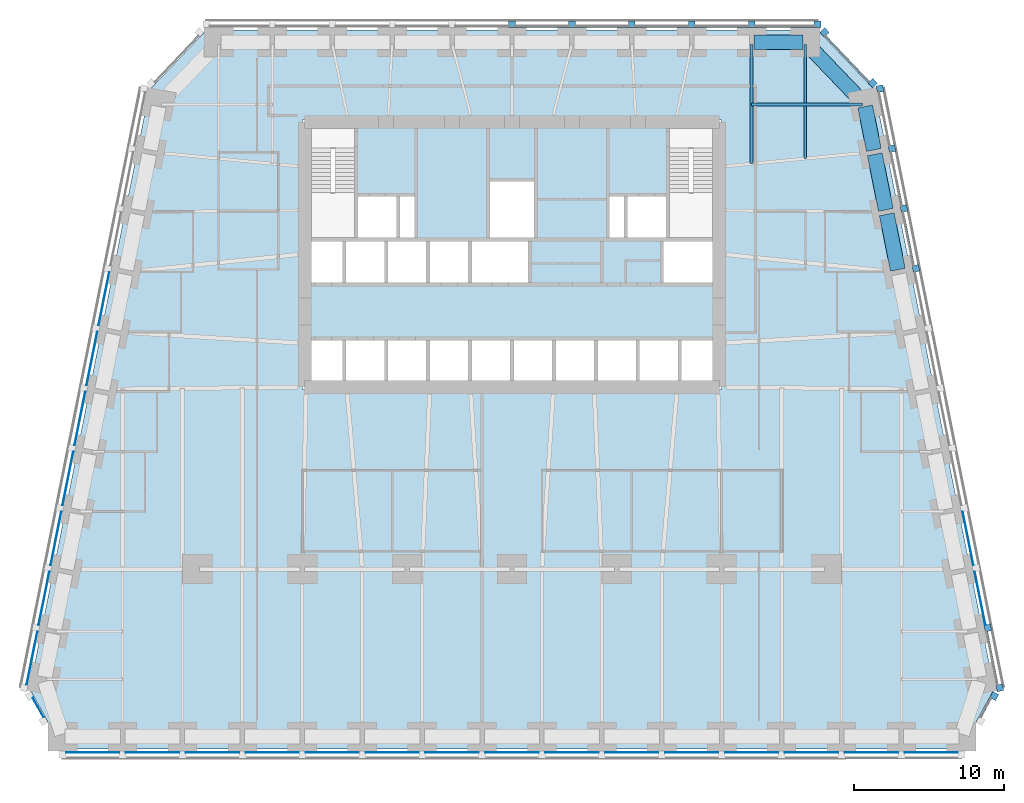
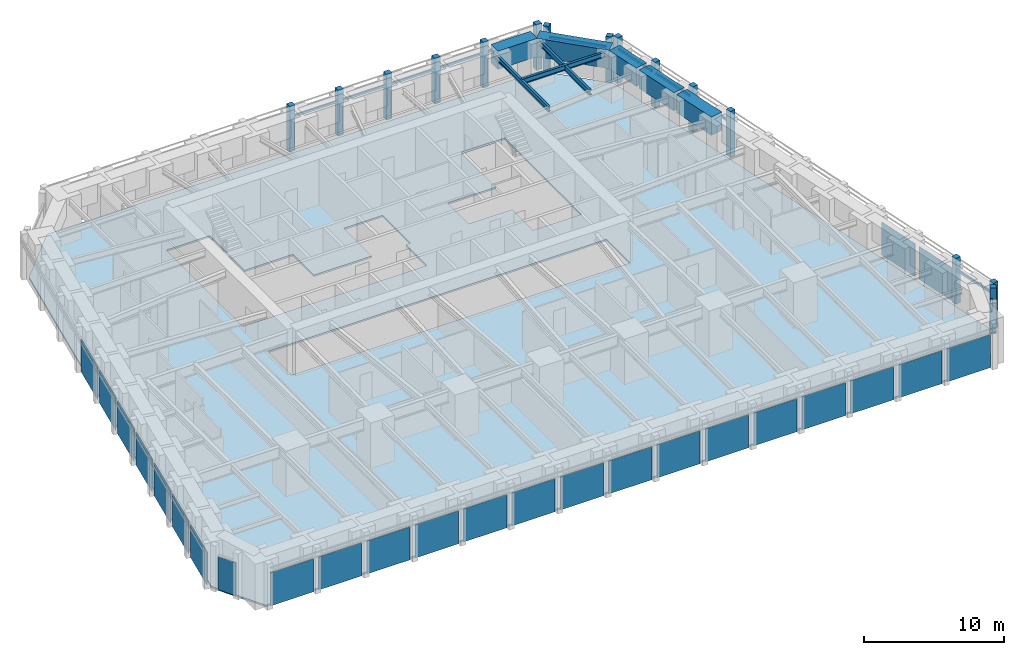
# One storey, part 4 of 10: 26 members, 25 plates, 8 beams, 1 slab, 7 elements without a shape of their own.
"""IFC4 building model written with IfcOpenShell, lengths in metres."""

from ifc_helpers import new_model, si_unit, direction, frame, origin, origin_2d, place, context, subcontext, project, spatial, polyline, rectangle, i_section, outline, extrude, material, layer, layer_set, material_profile, profile_set, type_object, element, aggregate, save


model = new_model("IFC4")

# Units and contexts
model_context = context("Model", 3, precision=1e-05, world=origin(), true_north=direction((0.0, 1.0)))
body_context = subcontext(model_context, "Body", "Model", "MODEL_VIEW")
ifc_project = project(units=[si_unit("LENGTHUNIT", "METRE"), si_unit("AREAUNIT", "SQUARE_METRE"), si_unit("VOLUMEUNIT", "CUBIC_METRE"), si_unit("PLANEANGLEUNIT", "RADIAN"), si_unit("MASSUNIT", "GRAM", prefix="KILO")], contexts=[model_context])

# Site, building, storey
site_placement = place(None, origin())
site = spatial("IfcSite", under=ifc_project, at=site_placement, CompositionType="ELEMENT")
building_placement = place(site_placement, origin())
building = spatial("IfcBuilding", under=site, at=building_placement, Name="Isbrekke Arena Tower", CompositionType="ELEMENT")
storey_placement = place(building_placement, frame((0.0, 0.0, 64.0)))
storey = spatial("IfcBuildingStorey", under=building, at=storey_placement, Name="L13", CompositionType="ELEMENT", Elevation=64.0)

# Beams
ifc_material_1 = material(Name="Steel S355", Category="steel")
ifc_material_profile_1 = material_profile(ifc_material_1, i_section(OverallWidth=0.18994140625, OverallDepth=0.449951171875, WebThickness=0.009521484375, FlangeThickness=0.0146484375, FilletRadius=0.02099609375, at=origin_2d()), Name="IPE 450")
ifc_profile_set_1 = profile_set([ifc_material_profile_1], Name="Steel S355")
beam_type_1 = type_object("IfcBeamType", Name="B2 IPE 450", PredefinedType="BEAM", material=ifc_profile_set_1)
beam_1_placement = place(storey_placement, frame((23.40283203125, 25.029296875, 3.625), z_axis=(-1.0, 0.0, 0.0), x_axis=(0.0, -1.0, 0.0)))
element("IfcBeam", 1, at=beam_1_placement, inside=storey, type_object=beam_type_1, Name="B2 beam E-E11 L13", PredefinedType="BEAM", context=body_context, shape_type="SweptSolid", body=[
    extrude(i_section(OverallWidth=0.18994140625, OverallDepth=0.449951171875, WebThickness=0.009521484375, FlangeThickness=0.0146484375, FilletRadius=0.02099609375, at=origin_2d()), origin(), (0.0, 0.0, 1.0), 7.40283203125),
])
ifc_material_2 = material(Name="Steel S355", Category="steel")
ifc_material_profile_2 = material_profile(ifc_material_2, i_section(OverallWidth=0.18994140625, OverallDepth=0.449951171875, WebThickness=0.009521484375, FlangeThickness=0.0146484375, FilletRadius=0.02099609375, at=origin_2d()), Name="IPE 450")
ifc_profile_set_2 = profile_set([ifc_material_profile_2], Name="Steel S355")
beam_type_2 = type_object("IfcBeamType", Name="B3 IPE 450", PredefinedType="BEAM", material=ifc_profile_set_2)
beam_2_placement = place(storey_placement, frame((19.574951171875, 29.02490234375, 3.625), z_axis=(0.0, -1.0, 0.0), x_axis=(1.0, 0.0, 0.0)))
element("IfcBeam", 2, at=beam_2_placement, inside=storey, type_object=beam_type_2, Name="B3 beam N-N01 L13", PredefinedType="BEAM", context=body_context, shape_type="SweptSolid", body=[
    extrude(i_section(OverallWidth=0.18994140625, OverallDepth=0.449951171875, WebThickness=0.009521484375, FlangeThickness=0.0146484375, FilletRadius=0.02099609375, at=origin_2d()), origin(), (0.0, 0.0, 1.0), 7.616943359375),
])
beam_3_placement = place(storey_placement, frame((16.0, 29.02490234375, 3.625), z_axis=(0.0, -1.0, 0.0), x_axis=(1.0, 0.0, 0.0)))
element("IfcBeam", 3, at=beam_3_placement, inside=storey, type_object=beam_type_2, Name="B3 beam N-N02 L13", PredefinedType="BEAM", context=body_context, shape_type="SweptSolid", body=[
    extrude(i_section(OverallWidth=0.18994140625, OverallDepth=0.449951171875, WebThickness=0.009521484375, FlangeThickness=0.0146484375, FilletRadius=0.02099609375, at=origin_2d()), origin(), (0.0, 0.0, 1.0), 7.961181640625),
])

# Curtain wall, member
ifc_material_3 = material(Name="Glazed aluminium curtain wall", Category="aluminium")
curtain_wall_type = type_object("IfcCurtainWallType", Name="CWL TOWER CURTAIN WALL LOW ZONE", PredefinedType="USERDEFINED", material=ifc_material_3)
curtain_wall_1_placement = place(storey_placement, origin())
curtain_wall_1 = element("IfcCurtainWall", 4, at=curtain_wall_1_placement, inside=storey, type_object=curtain_wall_type, Name="CWL curtain wall L13-SE", ObjectType="TOWER CURTAIN WALL LOW ZONE", PredefinedType="USERDEFINED")
ifc_material_4 = material(Name="Aluminium mullion, pale brick slip cladding", Category="masonry")
ifc_material_profile_3 = material_profile(ifc_material_4, rectangle(XDim=0.449951171875, YDim=0.449951171875, at=origin_2d()), Name="PIER 450X450")
ifc_profile_set_3 = profile_set([ifc_material_profile_3], Name="Aluminium mullion, pale brick slip cladding")
member_type_1 = type_object("IfcMemberType", Name="CWL-M PIER MULLION 450 x 450", PredefinedType="MULLION", material=ifc_profile_set_3)
member_1_placement = place(storey_placement, frame((32.195556640625, -14.47509765625, 0.0), z_axis=(0.0, 0.0, 1.0), x_axis=(0.481918749773, 0.876215908676, 0.0)))
member_1 = element("IfcMember", 5, at=member_1_placement, type_object=member_type_1, Name="CWL-M mullion 2", PredefinedType="MULLION", context=body_context, shape_type="SweptSolid", body=[
    extrude(rectangle(XDim=0.449951171875, YDim=0.449951171875, at=origin_2d()), origin(), (0.0, 0.0, 1.0), 4.0),
])

# Curtain wall, members
curtain_wall_2_placement = place(storey_placement, origin())
curtain_wall_2 = element("IfcCurtainWall", 6, at=curtain_wall_2_placement, inside=storey, type_object=curtain_wall_type, Name="CWL curtain wall L13-E", ObjectType="TOWER CURTAIN WALL LOW ZONE", PredefinedType="USERDEFINED")
member_2_placement = place(storey_placement, frame((32.567626953125, -13.926513671875, 0.0), z_axis=(0.0, 0.0, 1.0), x_axis=(-0.196116135138, 0.980580675691, 0.0)))
member_2 = element("IfcMember", 7, at=member_2_placement, type_object=member_type_1, Name="CWL-M mullion 1", PredefinedType="MULLION", context=body_context, shape_type="SweptSolid", body=[
    extrude(rectangle(XDim=0.449951171875, YDim=0.449951171875, at=origin_2d()), origin(), (0.0, 0.0, 1.0), 4.0),
])
member_3_placement = place(storey_placement, frame((31.767822265625, -9.926513671875, 0.0), z_axis=(0.0, 0.0, 1.0), x_axis=(-0.196116135138, 0.980580675691, 0.0)))
member_3 = element("IfcMember", 8, at=member_3_placement, type_object=member_type_1, Name="CWL-M mullion 2", PredefinedType="MULLION", context=body_context, shape_type="SweptSolid", body=[
    extrude(rectangle(XDim=0.449951171875, YDim=0.449951171875, at=origin_2d()), origin(), (0.0, 0.0, 1.0), 4.0),
])
member_4_placement = place(storey_placement, frame((26.9677734375, 14.073486328125, 0.0), z_axis=(0.0, 0.0, 1.0), x_axis=(-0.196116135138, 0.980580675691, 0.0)))
member_4 = element("IfcMember", 9, at=member_4_placement, type_object=member_type_1, Name="CWL-M mullion 8", PredefinedType="MULLION", context=body_context, shape_type="SweptSolid", body=[
    extrude(rectangle(XDim=0.449951171875, YDim=0.449951171875, at=origin_2d()), origin(), (0.0, 0.0, 1.0), 4.0),
])
member_5_placement = place(storey_placement, frame((26.167724609375, 18.073486328125, 0.0), z_axis=(0.0, 0.0, 1.0), x_axis=(-0.196116135138, 0.980580675691, 0.0)))
member_5 = element("IfcMember", 10, at=member_5_placement, type_object=member_type_1, Name="CWL-M mullion 9", PredefinedType="MULLION", context=body_context, shape_type="SweptSolid", body=[
    extrude(rectangle(XDim=0.449951171875, YDim=0.449951171875, at=origin_2d()), origin(), (0.0, 0.0, 1.0), 4.0),
])
member_6_placement = place(storey_placement, frame((25.36767578125, 22.073486328125, 0.0), z_axis=(0.0, 0.0, 1.0), x_axis=(-0.196116135138, 0.980580675691, 0.0)))
member_6 = element("IfcMember", 11, at=member_6_placement, type_object=member_type_1, Name="CWL-M mullion 10", PredefinedType="MULLION", context=body_context, shape_type="SweptSolid", body=[
    extrude(rectangle(XDim=0.449951171875, YDim=0.449951171875, at=origin_2d()), origin(), (0.0, 0.0, 1.0), 4.0),
])
member_7_placement = place(storey_placement, frame((24.567626953125, 26.073486328125, 0.0), z_axis=(0.0, 0.0, 1.0), x_axis=(-0.196116135138, 0.980580675691, 0.0)))
member_7 = element("IfcMember", 12, at=member_7_placement, type_object=member_type_1, Name="CWL-M mullion 11", PredefinedType="MULLION", context=body_context, shape_type="SweptSolid", body=[
    extrude(rectangle(XDim=0.449951171875, YDim=0.449951171875, at=origin_2d()), origin(), (0.0, 0.0, 1.0), 4.0),
])

curtain_wall_3_placement = place(storey_placement, origin())
curtain_wall_3 = element("IfcCurtainWall", 13, at=curtain_wall_3_placement, inside=storey, type_object=curtain_wall_type, Name="CWL curtain wall L13-EN", ObjectType="TOWER CURTAIN WALL LOW ZONE", PredefinedType="USERDEFINED")
member_8_placement = place(storey_placement, frame((24.08837890625, 26.444091796875, 0.0), z_axis=(0.0, 0.0, 1.0), x_axis=(-0.68874946192, 0.72499943359, 0.0)))
member_8 = element("IfcMember", 14, at=member_8_placement, type_object=member_type_1, Name="CWL-M mullion 1", PredefinedType="MULLION", context=body_context, shape_type="SweptSolid", body=[
    extrude(rectangle(XDim=0.449951171875, YDim=0.449951171875, at=origin_2d()), origin(), (0.0, 0.0, 1.0), 4.0),
])
member_9_placement = place(storey_placement, frame((20.86572265625, 29.83642578125, 0.0), z_axis=(0.0, 0.0, 1.0), x_axis=(-0.68874946192, 0.72499943359, 0.0)))
member_9 = element("IfcMember", 15, at=member_9_placement, type_object=member_type_1, Name="CWL-M mullion 2", PredefinedType="MULLION", context=body_context, shape_type="SweptSolid", body=[
    extrude(rectangle(XDim=0.449951171875, YDim=0.449951171875, at=origin_2d()), origin(), (0.0, 0.0, 1.0), 4.0),
])

curtain_wall_4_placement = place(storey_placement, origin())
curtain_wall_4 = element("IfcCurtainWall", 16, at=curtain_wall_4_placement, inside=storey, type_object=curtain_wall_type, Name="CWL curtain wall L13-N", ObjectType="TOWER CURTAIN WALL LOW ZONE", PredefinedType="USERDEFINED")
member_10_placement = place(storey_placement, frame((20.39990234375, 30.375, 0.0), z_axis=(0.0, 0.0, 1.0), x_axis=(-1.0, 0.0, 0.0)))
member_10 = element("IfcMember", 17, at=member_10_placement, type_object=member_type_1, Name="CWL-M mullion 1", PredefinedType="MULLION", context=body_context, shape_type="SweptSolid", body=[
    extrude(rectangle(XDim=0.449951171875, YDim=0.449951171875, at=origin_2d()), origin(), (0.0, 0.0, 1.0), 4.0),
])
member_11_placement = place(storey_placement, frame((16.0, 30.375, 0.0), z_axis=(0.0, 0.0, 1.0), x_axis=(-1.0, 0.0, 0.0)))
member_11 = element("IfcMember", 18, at=member_11_placement, type_object=member_type_1, Name="CWL-M mullion 2", PredefinedType="MULLION", context=body_context, shape_type="SweptSolid", body=[
    extrude(rectangle(XDim=0.449951171875, YDim=0.449951171875, at=origin_2d()), origin(), (0.0, 0.0, 1.0), 4.0),
])
member_12_placement = place(storey_placement, frame((12.0, 30.375, 0.0), z_axis=(0.0, 0.0, 1.0), x_axis=(-1.0, 0.0, 0.0)))
member_12 = element("IfcMember", 19, at=member_12_placement, type_object=member_type_1, Name="CWL-M mullion 3", PredefinedType="MULLION", context=body_context, shape_type="SweptSolid", body=[
    extrude(rectangle(XDim=0.449951171875, YDim=0.449951171875, at=origin_2d()), origin(), (0.0, 0.0, 1.0), 4.0),
])
member_13_placement = place(storey_placement, frame((8.0, 30.375, 0.0), z_axis=(0.0, 0.0, 1.0), x_axis=(-1.0, 0.0, 0.0)))
member_13 = element("IfcMember", 20, at=member_13_placement, type_object=member_type_1, Name="CWL-M mullion 4", PredefinedType="MULLION", context=body_context, shape_type="SweptSolid", body=[
    extrude(rectangle(XDim=0.449951171875, YDim=0.449951171875, at=origin_2d()), origin(), (0.0, 0.0, 1.0), 4.0),
])
member_14_placement = place(storey_placement, frame((4.0, 30.375, 0.0), z_axis=(0.0, 0.0, 1.0), x_axis=(-1.0, 0.0, 0.0)))
member_14 = element("IfcMember", 21, at=member_14_placement, type_object=member_type_1, Name="CWL-M mullion 5", PredefinedType="MULLION", context=body_context, shape_type="SweptSolid", body=[
    extrude(rectangle(XDim=0.449951171875, YDim=0.449951171875, at=origin_2d()), origin(), (0.0, 0.0, 1.0), 4.0),
])
member_15_placement = place(storey_placement, frame((0.0, 30.375, 0.0), z_axis=(0.0, 0.0, 1.0), x_axis=(-1.0, 0.0, 0.0)))
member_15 = element("IfcMember", 22, at=member_15_placement, type_object=member_type_1, Name="CWL-M mullion 6", PredefinedType="MULLION", context=body_context, shape_type="SweptSolid", body=[
    extrude(rectangle(XDim=0.449951171875, YDim=0.449951171875, at=origin_2d()), origin(), (0.0, 0.0, 1.0), 4.0),
])

# Member
ifc_material_5 = material(Name="Aluminium transom", Category="aluminium")
ifc_material_profile_4 = material_profile(ifc_material_5, rectangle(XDim=0.1201171875, YDim=0.199951171875, at=origin_2d()), Name="TRANSOM 120X200")
ifc_profile_set_4 = profile_set([ifc_material_profile_4], Name="Aluminium transom")
member_type_2 = type_object("IfcMemberType", Name="CWL-T TRANSOM 120 x 200", PredefinedType="USERDEFINED", material=ifc_profile_set_4)
member_16_placement = place(storey_placement, frame((31.277099609375, -15.88525390625, 3.0), z_axis=(0.481944543569, 0.876201721594, 0.0), x_axis=(-0.876201721594, 0.481944543569, 0.0)))
member_16 = element("IfcMember", 23, at=member_16_placement, type_object=member_type_2, Name="CWL-T transom 1", ObjectType="TRANSOM", PredefinedType="USERDEFINED", context=body_context, shape_type="SweptSolid", body=[
    extrude(rectangle(XDim=0.1201171875, YDim=0.199951171875, at=origin_2d()), origin(), (0.0, 0.0, 1.0), 1.453369140625),
])

aggregate(curtain_wall_1, [member_1, member_16])

member_17_placement = place(storey_placement, frame((32.401123046875, -13.730224609375, 3.0), z_axis=(-0.196167883278, 0.980570324643, 0.0), x_axis=(-0.980570324643, -0.196167883278, 0.0)))
member_17 = element("IfcMember", 24, at=member_17_placement, type_object=member_type_2, Name="CWL-T transom 1", ObjectType="TRANSOM", PredefinedType="USERDEFINED", context=body_context, shape_type="SweptSolid", body=[
    extrude(rectangle(XDim=0.1201171875, YDim=0.199951171875, at=origin_2d()), origin(), (0.0, 0.0, 1.0), 3.629150390625),
])

member_18_placement = place(storey_placement, frame((26.801025390625, 14.269775390625, 3.0), z_axis=(-0.196103197847, 0.98058326306, 0.0), x_axis=(-0.98058326306, -0.196103197847, 0.0)))
member_18 = element("IfcMember", 25, at=member_18_placement, type_object=member_type_2, Name="CWL-T transom 8", ObjectType="TRANSOM", PredefinedType="USERDEFINED", context=body_context, shape_type="SweptSolid", body=[
    extrude(rectangle(XDim=0.1201171875, YDim=0.199951171875, at=origin_2d()), origin(), (0.0, 0.0, 1.0), 3.629150390625),
])

member_19_placement = place(storey_placement, frame((26.0009765625, 18.269775390625, 3.0), z_axis=(-0.196103197847, 0.98058326306, 0.0), x_axis=(-0.98058326306, -0.196103197847, 0.0)))
member_19 = element("IfcMember", 26, at=member_19_placement, type_object=member_type_2, Name="CWL-T transom 9", ObjectType="TRANSOM", PredefinedType="USERDEFINED", context=body_context, shape_type="SweptSolid", body=[
    extrude(rectangle(XDim=0.1201171875, YDim=0.199951171875, at=origin_2d()), origin(), (0.0, 0.0, 1.0), 3.629150390625),
])

member_20_placement = place(storey_placement, frame((25.200927734375, 22.269775390625, 3.0), z_axis=(-0.196103197847, 0.98058326306, 0.0), x_axis=(-0.98058326306, -0.196103197847, 0.0)))
member_20 = element("IfcMember", 27, at=member_20_placement, type_object=member_type_2, Name="CWL-T transom 10", ObjectType="TRANSOM", PredefinedType="USERDEFINED", context=body_context, shape_type="SweptSolid", body=[
    extrude(rectangle(XDim=0.1201171875, YDim=0.199951171875, at=origin_2d()), origin(), (0.0, 0.0, 1.0), 3.629150390625),
])

member_21_placement = place(storey_placement, frame((23.8427734375, 26.521240234375, 3.0), z_axis=(-0.688776771287, 0.724973488712, 0.0), x_axis=(-0.724973488712, -0.688776771287, 0.0)))
member_21 = element("IfcMember", 28, at=member_21_placement, type_object=member_type_2, Name="CWL-T transom 1", ObjectType="TRANSOM", PredefinedType="USERDEFINED", context=body_context, shape_type="SweptSolid", body=[
    extrude(rectangle(XDim=0.1201171875, YDim=0.199951171875, at=origin_2d()), origin(), (0.0, 0.0, 1.0), 4.22900390625),
])

aggregate(curtain_wall_3, [member_8, member_9, member_21])

member_22_placement = place(storey_placement, frame((20.175048828125, 30.25, 3.0), z_axis=(-1.0, 0.0, 0.0), x_axis=(0.0, -1.0, 0.0)))
member_22 = element("IfcMember", 29, at=member_22_placement, type_object=member_type_2, Name="CWL-T transom 1", ObjectType="TRANSOM", PredefinedType="USERDEFINED", context=body_context, shape_type="SweptSolid", body=[
    extrude(rectangle(XDim=0.1201171875, YDim=0.199951171875, at=origin_2d()), origin(), (0.0, 0.0, 1.0), 3.949951171875),
])

member_23_placement = place(storey_placement, frame((15.77490234375, 30.25, 3.0), z_axis=(-1.0, 0.0, 0.0), x_axis=(0.0, -1.0, 0.0)))
member_23 = element("IfcMember", 30, at=member_23_placement, type_object=member_type_2, Name="CWL-T transom 2", ObjectType="TRANSOM", PredefinedType="USERDEFINED", context=body_context, shape_type="SweptSolid", body=[
    extrude(rectangle(XDim=0.1201171875, YDim=0.199951171875, at=origin_2d()), origin(), (0.0, 0.0, 1.0), 3.5498046875),
])

member_24_placement = place(storey_placement, frame((11.77490234375, 30.25, 3.0), z_axis=(-1.0, 0.0, 0.0), x_axis=(0.0, -1.0, 0.0)))
member_24 = element("IfcMember", 31, at=member_24_placement, type_object=member_type_2, Name="CWL-T transom 3", ObjectType="TRANSOM", PredefinedType="USERDEFINED", context=body_context, shape_type="SweptSolid", body=[
    extrude(rectangle(XDim=0.1201171875, YDim=0.199951171875, at=origin_2d()), origin(), (0.0, 0.0, 1.0), 3.5498046875),
])

member_25_placement = place(storey_placement, frame((7.77490234375, 30.25, 3.0), z_axis=(-1.0, 0.0, 0.0), x_axis=(0.0, -1.0, 0.0)))
member_25 = element("IfcMember", 32, at=member_25_placement, type_object=member_type_2, Name="CWL-T transom 4", ObjectType="TRANSOM", PredefinedType="USERDEFINED", context=body_context, shape_type="SweptSolid", body=[
    extrude(rectangle(XDim=0.1201171875, YDim=0.199951171875, at=origin_2d()), origin(), (0.0, 0.0, 1.0), 3.5498046875),
])

member_26_placement = place(storey_placement, frame((3.77490234375, 30.25, 3.0), z_axis=(-1.0, 0.0, 0.0), x_axis=(0.0, -1.0, 0.0)))
member_26 = element("IfcMember", 33, at=member_26_placement, type_object=member_type_2, Name="CWL-T transom 5", ObjectType="TRANSOM", PredefinedType="USERDEFINED", context=body_context, shape_type="SweptSolid", body=[
    extrude(rectangle(XDim=0.1201171875, YDim=0.199951171875, at=origin_2d()), origin(), (0.0, 0.0, 1.0), 3.5498046875),
])

aggregate(curtain_wall_4, [member_10, member_11, member_12, member_13, member_14, member_15, member_22, member_23, member_24, member_25, member_26])

# Beams
ifc_material_6 = material(Name="Concrete B90 (C90/105)", Category="concrete")
ifc_material_profile_5 = material_profile(ifc_material_6, rectangle(XDim=1.0, YDim=1.60009765625, at=origin_2d()), Name="RC 1000x1600")
ifc_profile_set_5 = profile_set([ifc_material_profile_5], Name="Concrete B90 (C90/105)")
beam_type_3 = type_object("IfcBeamType", Name="SB1 RC 1000 x 1600", PredefinedType="SPANDREL", material=ifc_profile_set_5)
for number, where, z_axis, x_axis, name in (
    (34, (25.76171875, 13.9853515625, 3.199951171875), (-0.196128558387, 0.980578190959, 0.0), (-0.980578190959, -0.196128558387, 0.0), "SB1 spandrel E08-E09 L13"),
    (35, (24.961669921875, 17.9853515625, 3.199951171875), (-0.196128558387, 0.980578190959, 0.0), (-0.980578190959, -0.196128558387, 0.0), "SB1 spandrel E09-E10 L13"),
):
    element("IfcBeam", number, at=place(storey_placement, frame(where, z_axis=z_axis, x_axis=x_axis)), inside=storey, type_object=beam_type_3, Name=name, PredefinedType="SPANDREL", context=body_context, shape_type="SweptSolid", body=[
        extrude(rectangle(XDim=1.0, YDim=1.60009765625, at=origin_2d()), origin(), (0.0, 0.0, 1.0), 3.779296875),
    ])
beam_4_placement = place(storey_placement, frame((24.16162109375, 21.9853515625, 3.199951171875), z_axis=(-0.196116135138, 0.980580675691, 0.0), x_axis=(-0.980580675691, -0.196116135138, 0.0)))
element("IfcBeam", 36, at=beam_4_placement, inside=storey, type_object=beam_type_3, Name="SB1 spandrel E10-E11 L13", PredefinedType="SPANDREL", context=body_context, shape_type="SweptSolid", body=[
    extrude(rectangle(XDim=1.0, YDim=1.60009765625, at=origin_2d()), origin(), (0.0, 0.0, 1.0), 2.9541015625),
])
beam_5_placement = place(storey_placement, frame((23.448974609375, 25.137451171875, 3.199951171875), z_axis=(-0.692339547635, 0.721571861134, 0.0), x_axis=(-0.721571861134, -0.692339547635, 0.0)))
element("IfcBeam", 37, at=beam_5_placement, inside=storey, type_object=beam_type_3, Name="SB1 spandrel E11-N01 L13", PredefinedType="SPANDREL", context=body_context, shape_type="SweptSolid", body=[
    extrude(rectangle(XDim=1.0, YDim=1.60009765625, at=origin_2d()), origin(), (0.0, 0.0, 1.0), 5.4453125),
])
beam_6_placement = place(storey_placement, frame((19.425048828125, 29.175048828125, 3.199951171875), z_axis=(-1.0, 0.0, 0.0), x_axis=(0.0, -1.0, 0.0)))
element("IfcBeam", 38, at=beam_6_placement, inside=storey, type_object=beam_type_3, Name="SB1 spandrel N01-N02 L13", PredefinedType="SPANDREL", context=body_context, shape_type="SweptSolid", body=[
    extrude(rectangle(XDim=1.0, YDim=1.60009765625, at=origin_2d()), origin(), (0.0, 0.0, 1.0), 3.275146484375),
])

# Curtain wall, plates
curtain_wall_5_placement = place(storey_placement, origin())
curtain_wall_5 = element("IfcCurtainWall", 39, at=curtain_wall_5_placement, inside=storey, type_object=curtain_wall_type, Name="CWL curtain wall L13-S", ObjectType="TOWER CURTAIN WALL LOW ZONE", PredefinedType="USERDEFINED")
ifc_material_7 = material(Name="Triple-glazed clear glass unit", Category="glass")
ifc_layer_1 = layer(ifc_material_7, 0.031982421875)
ifc_layer_set_1 = layer_set([ifc_layer_1], Name="CWL-P VISION PANEL")
plate_type = type_object("IfcPlateType", Name="CWL-P VISION PANEL", PredefinedType="CURTAIN_PANEL", material=ifc_layer_set_1)
plate_1_placement = place(storey_placement, frame((-28.0, -18.25, 0.02001953125), z_axis=(0.0, 0.0, 1.0), x_axis=(1.0, 0.0, 0.0)))
plate_1 = element("IfcPlate", 40, at=plate_1_placement, type_object=plate_type, Name="CWL-P panel 1", PredefinedType="CURTAIN_PANEL", context=body_context, shape_type="SweptSolid", body=[
    extrude(rectangle(XDim=3.550048828125, YDim=0.031982421875, at=origin_2d()), origin(), (0.0, 0.0, 1.0), 2.8798828125),
])
plate_2_placement = place(storey_placement, frame((-24.0, -18.25, 0.02001953125), z_axis=(0.0, 0.0, 1.0), x_axis=(1.0, 0.0, 0.0)))
plate_2 = element("IfcPlate", 41, at=plate_2_placement, type_object=plate_type, Name="CWL-P panel 2", PredefinedType="CURTAIN_PANEL", context=body_context, shape_type="SweptSolid", body=[
    extrude(rectangle(XDim=3.550048828125, YDim=0.031982421875, at=origin_2d()), origin(), (0.0, 0.0, 1.0), 2.8798828125),
])
plate_3_placement = place(storey_placement, frame((-20.0, -18.25, 0.02001953125), z_axis=(0.0, 0.0, 1.0), x_axis=(1.0, 0.0, 0.0)))
plate_3 = element("IfcPlate", 42, at=plate_3_placement, type_object=plate_type, Name="CWL-P panel 3", PredefinedType="CURTAIN_PANEL", context=body_context, shape_type="SweptSolid", body=[
    extrude(rectangle(XDim=3.550048828125, YDim=0.031982421875, at=origin_2d()), origin(), (0.0, 0.0, 1.0), 2.8798828125),
])
plate_4_placement = place(storey_placement, frame((-16.0, -18.25, 0.02001953125), z_axis=(0.0, 0.0, 1.0), x_axis=(1.0, 0.0, 0.0)))
plate_4 = element("IfcPlate", 43, at=plate_4_placement, type_object=plate_type, Name="CWL-P panel 4", PredefinedType="CURTAIN_PANEL", context=body_context, shape_type="SweptSolid", body=[
    extrude(rectangle(XDim=3.550048828125, YDim=0.031982421875, at=origin_2d()), origin(), (0.0, 0.0, 1.0), 2.8798828125),
])
plate_5_placement = place(storey_placement, frame((-12.0, -18.25, 0.02001953125), z_axis=(0.0, 0.0, 1.0), x_axis=(1.0, 0.0, 0.0)))
plate_5 = element("IfcPlate", 44, at=plate_5_placement, type_object=plate_type, Name="CWL-P panel 5", PredefinedType="CURTAIN_PANEL", context=body_context, shape_type="SweptSolid", body=[
    extrude(rectangle(XDim=3.550048828125, YDim=0.031982421875, at=origin_2d()), origin(), (0.0, 0.0, 1.0), 2.8798828125),
])
plate_6_placement = place(storey_placement, frame((-8.0, -18.25, 0.02001953125), z_axis=(0.0, 0.0, 1.0), x_axis=(1.0, 0.0, 0.0)))
plate_6 = element("IfcPlate", 45, at=plate_6_placement, type_object=plate_type, Name="CWL-P panel 6", PredefinedType="CURTAIN_PANEL", context=body_context, shape_type="SweptSolid", body=[
    extrude(rectangle(XDim=3.550048828125, YDim=0.031982421875, at=origin_2d()), origin(), (0.0, 0.0, 1.0), 2.8798828125),
])
plate_7_placement = place(storey_placement, frame((-4.0, -18.25, 0.02001953125), z_axis=(0.0, 0.0, 1.0), x_axis=(1.0, 0.0, 0.0)))
plate_7 = element("IfcPlate", 46, at=plate_7_placement, type_object=plate_type, Name="CWL-P panel 7", PredefinedType="CURTAIN_PANEL", context=body_context, shape_type="SweptSolid", body=[
    extrude(rectangle(XDim=3.550048828125, YDim=0.031982421875, at=origin_2d()), origin(), (0.0, 0.0, 1.0), 2.8798828125),
])
plate_8_placement = place(storey_placement, frame((0.0, -18.25, 0.02001953125), z_axis=(0.0, 0.0, 1.0), x_axis=(1.0, 0.0, 0.0)))
plate_8 = element("IfcPlate", 47, at=plate_8_placement, type_object=plate_type, Name="CWL-P panel 8", PredefinedType="CURTAIN_PANEL", context=body_context, shape_type="SweptSolid", body=[
    extrude(rectangle(XDim=3.550048828125, YDim=0.031982421875, at=origin_2d()), origin(), (0.0, 0.0, 1.0), 2.8798828125),
])
plate_9_placement = place(storey_placement, frame((4.0, -18.25, 0.02001953125), z_axis=(0.0, 0.0, 1.0), x_axis=(1.0, 0.0, 0.0)))
plate_9 = element("IfcPlate", 48, at=plate_9_placement, type_object=plate_type, Name="CWL-P panel 9", PredefinedType="CURTAIN_PANEL", context=body_context, shape_type="SweptSolid", body=[
    extrude(rectangle(XDim=3.550048828125, YDim=0.031982421875, at=origin_2d()), origin(), (0.0, 0.0, 1.0), 2.8798828125),
])
plate_10_placement = place(storey_placement, frame((8.0, -18.25, 0.02001953125), z_axis=(0.0, 0.0, 1.0), x_axis=(1.0, 0.0, 0.0)))
plate_10 = element("IfcPlate", 49, at=plate_10_placement, type_object=plate_type, Name="CWL-P panel 10", PredefinedType="CURTAIN_PANEL", context=body_context, shape_type="SweptSolid", body=[
    extrude(rectangle(XDim=3.550048828125, YDim=0.031982421875, at=origin_2d()), origin(), (0.0, 0.0, 1.0), 2.8798828125),
])
plate_11_placement = place(storey_placement, frame((12.0, -18.25, 0.02001953125), z_axis=(0.0, 0.0, 1.0), x_axis=(1.0, 0.0, 0.0)))
plate_11 = element("IfcPlate", 50, at=plate_11_placement, type_object=plate_type, Name="CWL-P panel 11", PredefinedType="CURTAIN_PANEL", context=body_context, shape_type="SweptSolid", body=[
    extrude(rectangle(XDim=3.550048828125, YDim=0.031982421875, at=origin_2d()), origin(), (0.0, 0.0, 1.0), 2.8798828125),
])
plate_12_placement = place(storey_placement, frame((16.0, -18.25, 0.02001953125), z_axis=(0.0, 0.0, 1.0), x_axis=(1.0, 0.0, 0.0)))
plate_12 = element("IfcPlate", 51, at=plate_12_placement, type_object=plate_type, Name="CWL-P panel 12", PredefinedType="CURTAIN_PANEL", context=body_context, shape_type="SweptSolid", body=[
    extrude(rectangle(XDim=3.550048828125, YDim=0.031982421875, at=origin_2d()), origin(), (0.0, 0.0, 1.0), 2.8798828125),
])
plate_13_placement = place(storey_placement, frame((20.0, -18.25, 0.02001953125), z_axis=(0.0, 0.0, 1.0), x_axis=(1.0, 0.0, 0.0)))
plate_13 = element("IfcPlate", 52, at=plate_13_placement, type_object=plate_type, Name="CWL-P panel 13", PredefinedType="CURTAIN_PANEL", context=body_context, shape_type="SweptSolid", body=[
    extrude(rectangle(XDim=3.550048828125, YDim=0.031982421875, at=origin_2d()), origin(), (0.0, 0.0, 1.0), 2.8798828125),
])
plate_14_placement = place(storey_placement, frame((24.0, -18.25, 0.02001953125), z_axis=(0.0, 0.0, 1.0), x_axis=(1.0, 0.0, 0.0)))
plate_14 = element("IfcPlate", 53, at=plate_14_placement, type_object=plate_type, Name="CWL-P panel 14", PredefinedType="CURTAIN_PANEL", context=body_context, shape_type="SweptSolid", body=[
    extrude(rectangle(XDim=3.550048828125, YDim=0.031982421875, at=origin_2d()), origin(), (0.0, 0.0, 1.0), 2.8798828125),
])
plate_15_placement = place(storey_placement, frame((28.0, -18.25, 0.02001953125), z_axis=(0.0, 0.0, 1.0), x_axis=(1.0, 0.0, 0.0)))
plate_15 = element("IfcPlate", 54, at=plate_15_placement, type_object=plate_type, Name="CWL-P panel 15", PredefinedType="CURTAIN_PANEL", context=body_context, shape_type="SweptSolid", body=[
    extrude(rectangle(XDim=3.550048828125, YDim=0.031982421875, at=origin_2d()), origin(), (0.0, 0.0, 1.0), 2.8798828125),
])
aggregate(curtain_wall_5, [plate_1, plate_2, plate_3, plate_4, plate_5, plate_6, plate_7, plate_8, plate_9, plate_10, plate_11, plate_12, plate_13, plate_14, plate_15])

# Plate
plate_16_placement = place(storey_placement, frame((31.2451171875, -7.950927734375, 0.02001953125), z_axis=(0.0, 0.0, 1.0), x_axis=(-0.196116135138, 0.980580675691, 0.0)))
plate_16 = element("IfcPlate", 55, at=plate_16_placement, type_object=plate_type, Name="CWL-P panel 2", PredefinedType="CURTAIN_PANEL", context=body_context, shape_type="SweptSolid", body=[
    extrude(rectangle(XDim=3.629150390625, YDim=0.031982421875, at=origin_2d()), origin(), (0.0, 0.0, 1.0), 2.8798828125),
])

plate_17_placement = place(storey_placement, frame((30.445068359375, -3.950927734375, 0.02001953125), z_axis=(0.0, 0.0, 1.0), x_axis=(-0.196116135138, 0.980580675691, 0.0)))
plate_17 = element("IfcPlate", 56, at=plate_17_placement, type_object=plate_type, Name="CWL-P panel 3", PredefinedType="CURTAIN_PANEL", context=body_context, shape_type="SweptSolid", body=[
    extrude(rectangle(XDim=3.629150390625, YDim=0.031982421875, at=origin_2d()), origin(), (0.0, 0.0, 1.0), 2.8798828125),
])

aggregate(curtain_wall_2, [member_2, member_3, member_4, member_5, member_6, member_7, member_17, plate_16, plate_17, member_18, member_19, member_20])

# Curtain wall, plates
curtain_wall_6_placement = place(storey_placement, origin())
curtain_wall_6 = element("IfcCurtainWall", 57, at=curtain_wall_6_placement, inside=storey, type_object=curtain_wall_type, Name="CWL curtain wall L13-W", ObjectType="TOWER CURTAIN WALL LOW ZONE", PredefinedType="USERDEFINED")
plate_18_placement = place(storey_placement, frame((-27.2451171875, 12.049072265625, 0.02001953125), z_axis=(0.0, 0.0, 1.0), x_axis=(-0.196116135138, -0.980580675691, 0.0)))
plate_18 = element("IfcPlate", 58, at=plate_18_placement, type_object=plate_type, Name="CWL-P panel 4", PredefinedType="CURTAIN_PANEL", context=body_context, shape_type="SweptSolid", body=[
    extrude(rectangle(XDim=3.629150390625, YDim=0.031982421875, at=origin_2d()), origin(), (0.0, 0.0, 1.0), 2.8798828125),
])
plate_19_placement = place(storey_placement, frame((-28.045166015625, 8.049072265625, 0.02001953125), z_axis=(0.0, 0.0, 1.0), x_axis=(-0.196116135138, -0.980580675691, 0.0)))
plate_19 = element("IfcPlate", 59, at=plate_19_placement, type_object=plate_type, Name="CWL-P panel 5", PredefinedType="CURTAIN_PANEL", context=body_context, shape_type="SweptSolid", body=[
    extrude(rectangle(XDim=3.629150390625, YDim=0.031982421875, at=origin_2d()), origin(), (0.0, 0.0, 1.0), 2.8798828125),
])
plate_20_placement = place(storey_placement, frame((-28.84521484375, 4.049072265625, 0.02001953125), z_axis=(0.0, 0.0, 1.0), x_axis=(-0.196116135138, -0.980580675691, 0.0)))
plate_20 = element("IfcPlate", 60, at=plate_20_placement, type_object=plate_type, Name="CWL-P panel 6", PredefinedType="CURTAIN_PANEL", context=body_context, shape_type="SweptSolid", body=[
    extrude(rectangle(XDim=3.629150390625, YDim=0.031982421875, at=origin_2d()), origin(), (0.0, 0.0, 1.0), 2.8798828125),
])
plate_21_placement = place(storey_placement, frame((-29.645263671875, 0.049072265625, 0.02001953125), z_axis=(0.0, 0.0, 1.0), x_axis=(-0.196116135138, -0.980580675691, 0.0)))
plate_21 = element("IfcPlate", 61, at=plate_21_placement, type_object=plate_type, Name="CWL-P panel 7", PredefinedType="CURTAIN_PANEL", context=body_context, shape_type="SweptSolid", body=[
    extrude(rectangle(XDim=3.629150390625, YDim=0.031982421875, at=origin_2d()), origin(), (0.0, 0.0, 1.0), 2.8798828125),
])
plate_22_placement = place(storey_placement, frame((-30.445068359375, -3.950927734375, 0.02001953125), z_axis=(0.0, 0.0, 1.0), x_axis=(-0.196116135138, -0.980580675691, 0.0)))
plate_22 = element("IfcPlate", 62, at=plate_22_placement, type_object=plate_type, Name="CWL-P panel 8", PredefinedType="CURTAIN_PANEL", context=body_context, shape_type="SweptSolid", body=[
    extrude(rectangle(XDim=3.629150390625, YDim=0.031982421875, at=origin_2d()), origin(), (0.0, 0.0, 1.0), 2.8798828125),
])
plate_23_placement = place(storey_placement, frame((-31.2451171875, -7.950927734375, 0.02001953125), z_axis=(0.0, 0.0, 1.0), x_axis=(-0.196116135138, -0.980580675691, 0.0)))
plate_23 = element("IfcPlate", 63, at=plate_23_placement, type_object=plate_type, Name="CWL-P panel 9", PredefinedType="CURTAIN_PANEL", context=body_context, shape_type="SweptSolid", body=[
    extrude(rectangle(XDim=3.629150390625, YDim=0.031982421875, at=origin_2d()), origin(), (0.0, 0.0, 1.0), 2.8798828125),
])
plate_24_placement = place(storey_placement, frame((-32.045166015625, -11.950927734375, 0.02001953125), z_axis=(0.0, 0.0, 1.0), x_axis=(-0.196116135138, -0.980580675691, 0.0)))
plate_24 = element("IfcPlate", 64, at=plate_24_placement, type_object=plate_type, Name="CWL-P panel 10", PredefinedType="CURTAIN_PANEL", context=body_context, shape_type="SweptSolid", body=[
    extrude(rectangle(XDim=3.629150390625, YDim=0.031982421875, at=origin_2d()), origin(), (0.0, 0.0, 1.0), 2.8798828125),
])
aggregate(curtain_wall_6, [plate_18, plate_19, plate_20, plate_21, plate_22, plate_23, plate_24])

# Curtain wall, plate
curtain_wall_7_placement = place(storey_placement, origin())
curtain_wall_7 = element("IfcCurtainWall", 65, at=curtain_wall_7_placement, inside=storey, type_object=curtain_wall_type, Name="CWL curtain wall L13-WS", ObjectType="TOWER CURTAIN WALL LOW ZONE", PredefinedType="USERDEFINED")
plate_25_placement = place(storey_placement, frame((-31.627197265625, -15.2490234375, 0.02001953125), z_axis=(0.0, 0.0, 1.0), x_axis=(0.481918749773, -0.876215908676, 0.0)))
plate_25 = element("IfcPlate", 66, at=plate_25_placement, type_object=plate_type, Name="CWL-P panel 1", PredefinedType="CURTAIN_PANEL", context=body_context, shape_type="SweptSolid", body=[
    extrude(rectangle(XDim=1.455322265625, YDim=0.031982421875, at=origin_2d()), origin(), (0.0, 0.0, 1.0), 2.8798828125),
])
aggregate(curtain_wall_7, [plate_25])

# Slab
ifc_material_8 = material(Name="Concrete B35 (C35/45)", Category="concrete")
ifc_layer_2 = layer(ifc_material_8, 0.14990234375)
ifc_layer_set_2 = layer_set([ifc_layer_2], Name="FS1 COMPOSITE FLOOR 150")
slab_type = type_object("IfcSlabType", Name="FS1 COMPOSITE FLOOR 150", PredefinedType="FLOOR", material=ifc_layer_set_2)
slab_placement = place(storey_placement, frame((0.0, 0.0, -0.14990234375)))
element("IfcSlab", 67, at=slab_placement, inside=storey, type_object=slab_type, Name="FS1 floor slab L13", PredefinedType="FLOOR", context=body_context, shape_type="SweptSolid", body=[
    extrude(outline(polyline([(-30.0, -18.0), (30.0, -18.0), (32.199951171875, -14.0), (24.199951171875, 26.0), (20.39990234375, 30.0), (-20.39990234375, 30.0), (-24.199951171875, 26.0), (-32.199951171875, -14.0), (-30.0, -18.0)]), holes=[polyline([(14.0, 9.39990234375), (14.0, 6.0), (-14.0, 6.0), (-14.0, 9.39990234375), (14.0, 9.39990234375)]), polyline([(-6.39990234375, 19.0), (-6.39990234375, 16.0), (-1.60009765625, 16.0), (-1.60009765625, 20.0), (1.60009765625, 20.0), (1.60009765625, 16.0), (1.199951171875, 16.0), (1.199951171875, 13.0), (-14.0, 13.0), (-14.0, 24.0), (-10.39990234375, 24.0), (-10.39990234375, 19.0), (-6.39990234375, 19.0)]), polyline([(10.0, 13.0), (10.0, 16.0), (6.39990234375, 16.0), (6.39990234375, 19.0), (10.39990234375, 19.0), (10.39990234375, 24.0), (14.0, 24.0), (14.0, 13.0), (10.0, 13.0)])]), origin(), (0.0, 0.0, 1.0), 0.14990234375),
])

save(model, "model.ifc")
